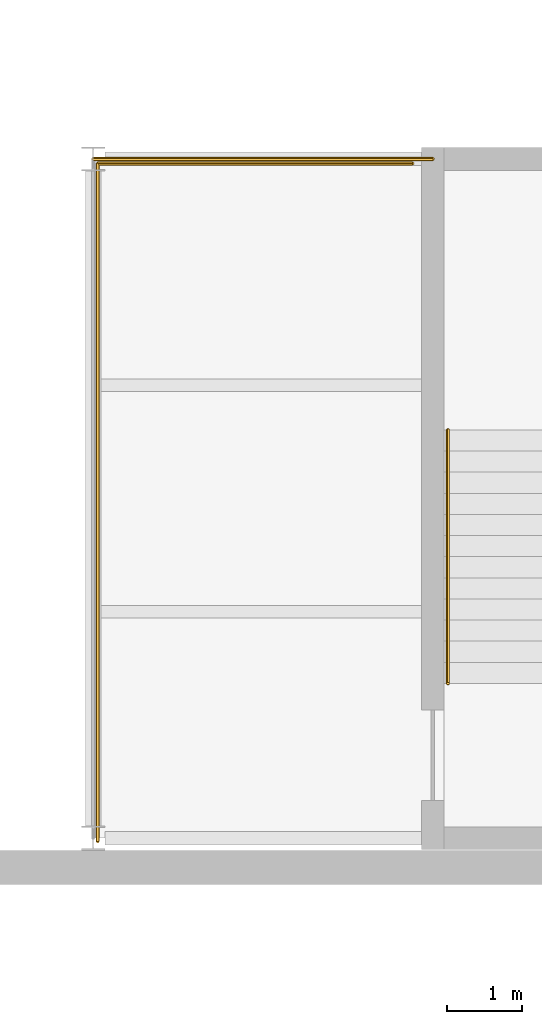
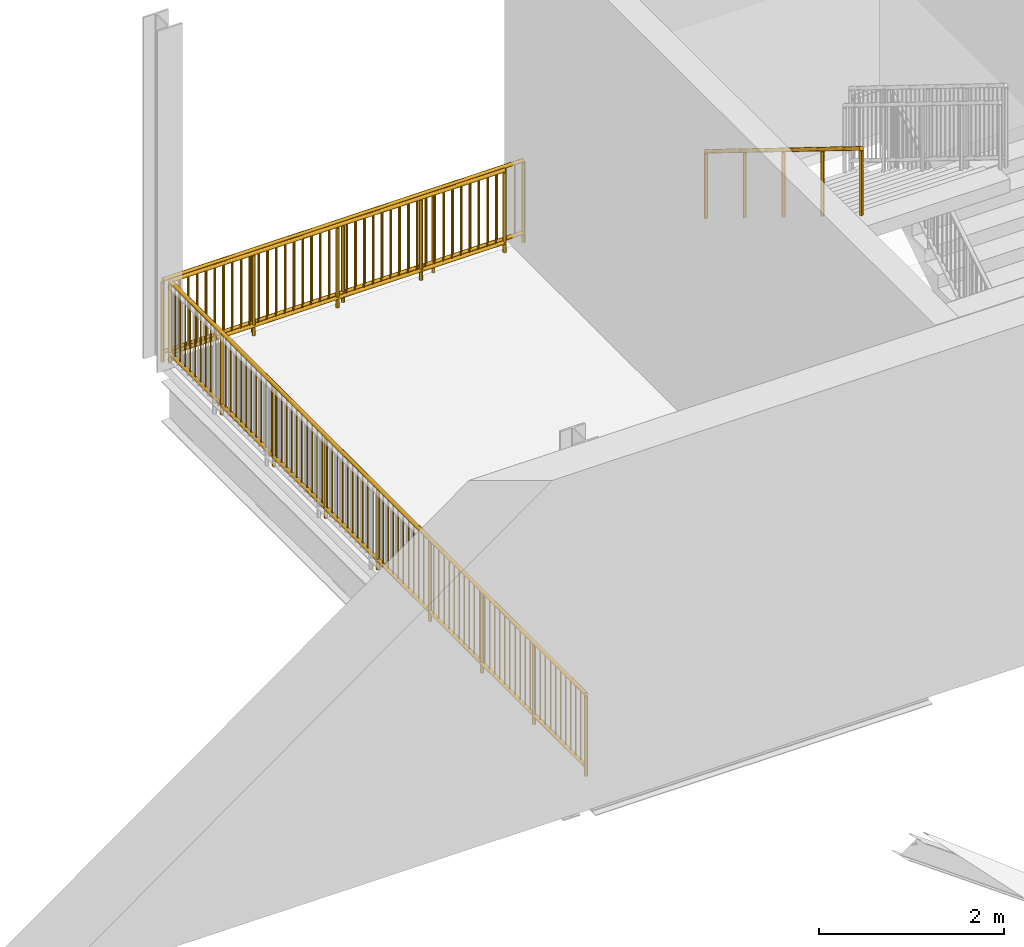
# One storey, part 69 of 74: 3 railings.
"""IFC4 building model written with IfcOpenShell, lengths in metres."""

from ifc_helpers import new_model, si_unit, direction, frame, origin, origin_2d, place, context, subcontext, project, spatial, circle, extrude, material, type_object, element, save


model = new_model("IFC4")

# Units and contexts
model_context = context("Model", 3, precision=1e-05, world=origin(), true_north=direction((0.0, 1.0)))
body_context = subcontext(model_context, "Body", "Model", "MODEL_VIEW")
ifc_project = project(units=[si_unit("LENGTHUNIT", "METRE"), si_unit("AREAUNIT", "SQUARE_METRE"), si_unit("VOLUMEUNIT", "CUBIC_METRE"), si_unit("PLANEANGLEUNIT", "RADIAN"), si_unit("MASSUNIT", "GRAM", prefix="KILO")], contexts=[model_context])

# Site, building, storey
site_placement = place(None, origin())
site = spatial("IfcSite", under=ifc_project, at=site_placement, CompositionType="ELEMENT")
building_placement = place(site_placement, origin())
building = spatial("IfcBuilding", under=site, at=building_placement, Name="Hortulan Conservatory and Botanical Research Centre", CompositionType="ELEMENT")
storey_placement = place(building_placement, frame((0.0, 0.0, 6.0)))
storey = spatial("IfcBuildingStorey", under=building, at=storey_placement, Name="L01", CompositionType="ELEMENT", Elevation=6.0)

# Railings
ifc_material_1 = material(Name="Wrought iron guard, bronze-charcoal paint", Category="metal")
railing_type_1 = type_object("IfcRailingType", Name="Fly Gallery Guard 1100", PredefinedType="GUARDRAIL", material=ifc_material_1)
railing_1_placement = place(storey_placement, frame((99.0, 45.0, 0.0)))
element("IfcRailing", 1, at=railing_1_placement, inside=storey, type_object=railing_type_1, Name="Fly gallery guard L01 north edge", PredefinedType="GUARDRAIL", context=body_context, shape_type="SweptSolid", body=[
    extrude(circle(Radius=0.02392578125, at=origin_2d()), frame((0.0, 0.0, 1.076171875), z_axis=(1.0, 0.0, 0.0), x_axis=(0.0, 1.0, 0.0)), (0.0, 0.0, 1.0), 4.5),
    extrude(circle(Radius=0.02392578125, at=origin_2d()), frame((0.0, 0.0, 0.1240234375), z_axis=(1.0, 0.0, 0.0), x_axis=(0.0, 1.0, 0.0)), (0.0, 0.0, 1.0), 4.5),
    extrude(circle(Radius=0.008056640625, at=origin_2d()), frame((0.10986328125, 0.0, 0.148193359375)), (0.0, 0.0, 1.0), 0.90380859375),
    extrude(circle(Radius=0.008056640625, at=origin_2d()), frame((0.219482421875, 0.0, 0.148193359375)), (0.0, 0.0, 1.0), 0.90380859375),
    extrude(circle(Radius=0.008056640625, at=origin_2d()), frame((0.329345703125, 0.0, 0.148193359375)), (0.0, 0.0, 1.0), 0.90380859375),
    extrude(circle(Radius=0.008056640625, at=origin_2d()), frame((0.43896484375, 0.0, 0.148193359375)), (0.0, 0.0, 1.0), 0.90380859375),
    extrude(circle(Radius=0.008056640625, at=origin_2d()), frame((0.548828125, 0.0, 0.148193359375)), (0.0, 0.0, 1.0), 0.90380859375),
    extrude(circle(Radius=0.008056640625, at=origin_2d()), frame((0.658447265625, 0.0, 0.148193359375)), (0.0, 0.0, 1.0), 0.90380859375),
    extrude(circle(Radius=0.008056640625, at=origin_2d()), frame((0.768310546875, 0.0, 0.148193359375)), (0.0, 0.0, 1.0), 0.90380859375),
    extrude(circle(Radius=0.008056640625, at=origin_2d()), frame((0.8779296875, 0.0, 0.148193359375)), (0.0, 0.0, 1.0), 0.90380859375),
    extrude(circle(Radius=0.008056640625, at=origin_2d()), frame((0.98779296875, 0.0, 0.148193359375)), (0.0, 0.0, 1.0), 0.90380859375),
    extrude(circle(Radius=0.008056640625, at=origin_2d()), frame((1.09765625, 0.0, 0.148193359375)), (0.0, 0.0, 1.0), 0.90380859375),
    extrude(circle(Radius=0.008056640625, at=origin_2d()), frame((1.207275390625, 0.0, 0.148193359375)), (0.0, 0.0, 1.0), 0.90380859375),
    extrude(circle(Radius=0.008056640625, at=origin_2d()), frame((1.317138671875, 0.0, 0.148193359375)), (0.0, 0.0, 1.0), 0.90380859375),
    extrude(circle(Radius=0.008056640625, at=origin_2d()), frame((1.4267578125, 0.0, 0.148193359375)), (0.0, 0.0, 1.0), 0.90380859375),
    extrude(circle(Radius=0.008056640625, at=origin_2d()), frame((1.53662109375, 0.0, 0.148193359375)), (0.0, 0.0, 1.0), 0.90380859375),
    extrude(circle(Radius=0.008056640625, at=origin_2d()), frame((1.646240234375, 0.0, 0.148193359375)), (0.0, 0.0, 1.0), 0.90380859375),
    extrude(circle(Radius=0.008056640625, at=origin_2d()), frame((1.756103515625, 0.0, 0.148193359375)), (0.0, 0.0, 1.0), 0.90380859375),
    extrude(circle(Radius=0.008056640625, at=origin_2d()), frame((1.865966796875, 0.0, 0.148193359375)), (0.0, 0.0, 1.0), 0.90380859375),
    extrude(circle(Radius=0.008056640625, at=origin_2d()), frame((1.9755859375, 0.0, 0.148193359375)), (0.0, 0.0, 1.0), 0.90380859375),
    extrude(circle(Radius=0.008056640625, at=origin_2d()), frame((2.08544921875, 0.0, 0.148193359375)), (0.0, 0.0, 1.0), 0.90380859375),
    extrude(circle(Radius=0.008056640625, at=origin_2d()), frame((2.195068359375, 0.0, 0.148193359375)), (0.0, 0.0, 1.0), 0.90380859375),
    extrude(circle(Radius=0.008056640625, at=origin_2d()), frame((2.304931640625, 0.0, 0.148193359375)), (0.0, 0.0, 1.0), 0.90380859375),
    extrude(circle(Radius=0.008056640625, at=origin_2d()), frame((2.41455078125, 0.0, 0.148193359375)), (0.0, 0.0, 1.0), 0.90380859375),
    extrude(circle(Radius=0.008056640625, at=origin_2d()), frame((2.5244140625, 0.0, 0.148193359375)), (0.0, 0.0, 1.0), 0.90380859375),
    extrude(circle(Radius=0.008056640625, at=origin_2d()), frame((2.634033203125, 0.0, 0.148193359375)), (0.0, 0.0, 1.0), 0.90380859375),
    extrude(circle(Radius=0.008056640625, at=origin_2d()), frame((2.743896484375, 0.0, 0.148193359375)), (0.0, 0.0, 1.0), 0.90380859375),
    extrude(circle(Radius=0.008056640625, at=origin_2d()), frame((2.853759765625, 0.0, 0.148193359375)), (0.0, 0.0, 1.0), 0.90380859375),
    extrude(circle(Radius=0.008056640625, at=origin_2d()), frame((2.96337890625, 0.0, 0.148193359375)), (0.0, 0.0, 1.0), 0.90380859375),
    extrude(circle(Radius=0.008056640625, at=origin_2d()), frame((3.0732421875, 0.0, 0.148193359375)), (0.0, 0.0, 1.0), 0.90380859375),
    extrude(circle(Radius=0.008056640625, at=origin_2d()), frame((3.182861328125, 0.0, 0.148193359375)), (0.0, 0.0, 1.0), 0.90380859375),
    extrude(circle(Radius=0.008056640625, at=origin_2d()), frame((3.292724609375, 0.0, 0.148193359375)), (0.0, 0.0, 1.0), 0.90380859375),
    extrude(circle(Radius=0.008056640625, at=origin_2d()), frame((3.40234375, 0.0, 0.148193359375)), (0.0, 0.0, 1.0), 0.90380859375),
    extrude(circle(Radius=0.008056640625, at=origin_2d()), frame((3.51220703125, 0.0, 0.148193359375)), (0.0, 0.0, 1.0), 0.90380859375),
    extrude(circle(Radius=0.008056640625, at=origin_2d()), frame((3.6220703125, 0.0, 0.148193359375)), (0.0, 0.0, 1.0), 0.90380859375),
    extrude(circle(Radius=0.008056640625, at=origin_2d()), frame((3.731689453125, 0.0, 0.148193359375)), (0.0, 0.0, 1.0), 0.90380859375),
    extrude(circle(Radius=0.008056640625, at=origin_2d()), frame((3.841552734375, 0.0, 0.148193359375)), (0.0, 0.0, 1.0), 0.90380859375),
    extrude(circle(Radius=0.008056640625, at=origin_2d()), frame((3.951171875, 0.0, 0.148193359375)), (0.0, 0.0, 1.0), 0.90380859375),
    extrude(circle(Radius=0.008056640625, at=origin_2d()), frame((4.06103515625, 0.0, 0.148193359375)), (0.0, 0.0, 1.0), 0.90380859375),
    extrude(circle(Radius=0.008056640625, at=origin_2d()), frame((4.170654296875, 0.0, 0.148193359375)), (0.0, 0.0, 1.0), 0.90380859375),
    extrude(circle(Radius=0.008056640625, at=origin_2d()), frame((4.280517578125, 0.0, 0.148193359375)), (0.0, 0.0, 1.0), 0.90380859375),
    extrude(circle(Radius=0.008056640625, at=origin_2d()), frame((4.39013671875, 0.0, 0.148193359375)), (0.0, 0.0, 1.0), 0.90380859375),
    extrude(circle(Radius=0.02099609375, at=origin_2d()), origin(), (0.0, 0.0, 1.0), 1.052001953125),
    extrude(circle(Radius=0.02099609375, at=origin_2d()), frame((1.125, 0.0, 0.0)), (0.0, 0.0, 1.0), 1.052001953125),
    extrude(circle(Radius=0.02099609375, at=origin_2d()), frame((2.25, 0.0, 0.0)), (0.0, 0.0, 1.0), 1.052001953125),
    extrude(circle(Radius=0.02099609375, at=origin_2d()), frame((3.375, 0.0, 0.0)), (0.0, 0.0, 1.0), 1.052001953125),
    extrude(circle(Radius=0.02099609375, at=origin_2d()), frame((4.5, 0.0, 0.0)), (0.0, 0.0, 1.0), 1.052001953125),
])
railing_type_2 = type_object("IfcRailingType", Name="Ironwork Void Guard 1100", PredefinedType="GUARDRAIL", material=ifc_material_1)
railing_2_placement = place(storey_placement, frame((103.22998046875, 44.93994140625, 0.0)))
element("IfcRailing", 2, at=railing_2_placement, inside=storey, type_object=railing_type_2, Name="Guard L01 Aud Hall L01 1 8", PredefinedType="GUARDRAIL", context=body_context, shape_type="SweptSolid", body=[
    extrude(circle(Radius=0.02392578125, at=origin_2d()), frame((0.0, 0.0, 1.076171875), z_axis=(-1.0, 0.0, 0.0), x_axis=(0.0, -1.0, 0.0)), (0.0, 0.0, 1.0), 4.169921875),
    extrude(circle(Radius=0.02392578125, at=origin_2d()), frame((0.0, 0.0, 0.1240234375), z_axis=(-1.0, 0.0, 0.0), x_axis=(0.0, -1.0, 0.0)), (0.0, 0.0, 1.0), 4.169921875),
    extrude(circle(Radius=0.008056640625, at=origin_2d()), frame((-0.109619140625, 0.0, 0.148193359375)), (0.0, 0.0, 1.0), 0.90380859375),
    extrude(circle(Radius=0.008056640625, at=origin_2d()), frame((-0.219482421875, 0.0, 0.148193359375)), (0.0, 0.0, 1.0), 0.90380859375),
    extrude(circle(Radius=0.008056640625, at=origin_2d()), frame((-0.3291015625, 0.0, 0.148193359375)), (0.0, 0.0, 1.0), 0.90380859375),
    extrude(circle(Radius=0.008056640625, at=origin_2d()), frame((-0.43896484375, 0.0, 0.148193359375)), (0.0, 0.0, 1.0), 0.90380859375),
    extrude(circle(Radius=0.008056640625, at=origin_2d()), frame((-0.548583984375, 0.0, 0.148193359375)), (0.0, 0.0, 1.0), 0.90380859375),
    extrude(circle(Radius=0.008056640625, at=origin_2d()), frame((-0.658447265625, 0.0, 0.148193359375)), (0.0, 0.0, 1.0), 0.90380859375),
    extrude(circle(Radius=0.008056640625, at=origin_2d()), frame((-0.76806640625, 0.0, 0.148193359375)), (0.0, 0.0, 1.0), 0.90380859375),
    extrude(circle(Radius=0.008056640625, at=origin_2d()), frame((-0.8779296875, 0.0, 0.148193359375)), (0.0, 0.0, 1.0), 0.90380859375),
    extrude(circle(Radius=0.008056640625, at=origin_2d()), frame((-0.987548828125, 0.0, 0.148193359375)), (0.0, 0.0, 1.0), 0.90380859375),
    extrude(circle(Radius=0.008056640625, at=origin_2d()), frame((-1.097412109375, 0.0, 0.148193359375)), (0.0, 0.0, 1.0), 0.90380859375),
    extrude(circle(Radius=0.008056640625, at=origin_2d()), frame((-1.20703125, 0.0, 0.148193359375)), (0.0, 0.0, 1.0), 0.90380859375),
    extrude(circle(Radius=0.008056640625, at=origin_2d()), frame((-1.31689453125, 0.0, 0.148193359375)), (0.0, 0.0, 1.0), 0.90380859375),
    extrude(circle(Radius=0.008056640625, at=origin_2d()), frame((-1.426513671875, 0.0, 0.148193359375)), (0.0, 0.0, 1.0), 0.90380859375),
    extrude(circle(Radius=0.008056640625, at=origin_2d()), frame((-1.536376953125, 0.0, 0.148193359375)), (0.0, 0.0, 1.0), 0.90380859375),
    extrude(circle(Radius=0.008056640625, at=origin_2d()), frame((-1.64599609375, 0.0, 0.148193359375)), (0.0, 0.0, 1.0), 0.90380859375),
    extrude(circle(Radius=0.008056640625, at=origin_2d()), frame((-1.755859375, 0.0, 0.148193359375)), (0.0, 0.0, 1.0), 0.90380859375),
    extrude(circle(Radius=0.008056640625, at=origin_2d()), frame((-1.865478515625, 0.0, 0.148193359375)), (0.0, 0.0, 1.0), 0.90380859375),
    extrude(circle(Radius=0.008056640625, at=origin_2d()), frame((-1.975341796875, 0.0, 0.148193359375)), (0.0, 0.0, 1.0), 0.90380859375),
    extrude(circle(Radius=0.008056640625, at=origin_2d()), frame((-2.0849609375, 0.0, 0.148193359375)), (0.0, 0.0, 1.0), 0.90380859375),
    extrude(circle(Radius=0.008056640625, at=origin_2d()), frame((-2.194580078125, 0.0, 0.148193359375)), (0.0, 0.0, 1.0), 0.90380859375),
    extrude(circle(Radius=0.008056640625, at=origin_2d()), frame((-2.304443359375, 0.0, 0.148193359375)), (0.0, 0.0, 1.0), 0.90380859375),
    extrude(circle(Radius=0.008056640625, at=origin_2d()), frame((-2.4140625, 0.0, 0.148193359375)), (0.0, 0.0, 1.0), 0.90380859375),
    extrude(circle(Radius=0.008056640625, at=origin_2d()), frame((-2.52392578125, 0.0, 0.148193359375)), (0.0, 0.0, 1.0), 0.90380859375),
    extrude(circle(Radius=0.008056640625, at=origin_2d()), frame((-2.633544921875, 0.0, 0.148193359375)), (0.0, 0.0, 1.0), 0.90380859375),
    extrude(circle(Radius=0.008056640625, at=origin_2d()), frame((-2.743408203125, 0.0, 0.148193359375)), (0.0, 0.0, 1.0), 0.90380859375),
    extrude(circle(Radius=0.008056640625, at=origin_2d()), frame((-2.85302734375, 0.0, 0.148193359375)), (0.0, 0.0, 1.0), 0.90380859375),
    extrude(circle(Radius=0.008056640625, at=origin_2d()), frame((-2.962890625, 0.0, 0.148193359375)), (0.0, 0.0, 1.0), 0.90380859375),
    extrude(circle(Radius=0.008056640625, at=origin_2d()), frame((-3.072509765625, 0.0, 0.148193359375)), (0.0, 0.0, 1.0), 0.90380859375),
    extrude(circle(Radius=0.008056640625, at=origin_2d()), frame((-3.182373046875, 0.0, 0.148193359375)), (0.0, 0.0, 1.0), 0.90380859375),
    extrude(circle(Radius=0.008056640625, at=origin_2d()), frame((-3.2919921875, 0.0, 0.148193359375)), (0.0, 0.0, 1.0), 0.90380859375),
    extrude(circle(Radius=0.008056640625, at=origin_2d()), frame((-3.40185546875, 0.0, 0.148193359375)), (0.0, 0.0, 1.0), 0.90380859375),
    extrude(circle(Radius=0.008056640625, at=origin_2d()), frame((-3.511474609375, 0.0, 0.148193359375)), (0.0, 0.0, 1.0), 0.90380859375),
    extrude(circle(Radius=0.008056640625, at=origin_2d()), frame((-3.621337890625, 0.0, 0.148193359375)), (0.0, 0.0, 1.0), 0.90380859375),
    extrude(circle(Radius=0.008056640625, at=origin_2d()), frame((-3.73095703125, 0.0, 0.148193359375)), (0.0, 0.0, 1.0), 0.90380859375),
    extrude(circle(Radius=0.008056640625, at=origin_2d()), frame((-3.8408203125, 0.0, 0.148193359375)), (0.0, 0.0, 1.0), 0.90380859375),
    extrude(circle(Radius=0.008056640625, at=origin_2d()), frame((-3.950439453125, 0.0, 0.148193359375)), (0.0, 0.0, 1.0), 0.90380859375),
    extrude(circle(Radius=0.008056640625, at=origin_2d()), frame((-4.060302734375, 0.0, 0.148193359375)), (0.0, 0.0, 1.0), 0.90380859375),
    extrude(circle(Radius=0.02392578125, at=origin_2d()), frame((-4.169921875, 0.0, 1.076171875), z_axis=(0.0, -1.0, 0.0), x_axis=(1.0, 0.0, 0.0)), (0.0, 0.0, 1.0), 8.98046875),
    extrude(circle(Radius=0.02392578125, at=origin_2d()), frame((-4.169921875, 0.0, 0.1240234375), z_axis=(0.0, -1.0, 0.0), x_axis=(1.0, 0.0, 0.0)), (0.0, 0.0, 1.0), 8.98046875),
    extrude(circle(Radius=0.008056640625, at=origin_2d()), frame((-4.169921875, -0.109619140625, 0.148193359375)), (0.0, 0.0, 1.0), 0.90380859375),
    extrude(circle(Radius=0.008056640625, at=origin_2d()), frame((-4.169921875, -0.218994140625, 0.148193359375)), (0.0, 0.0, 1.0), 0.90380859375),
    extrude(circle(Radius=0.008056640625, at=origin_2d()), frame((-4.169921875, -0.32861328125, 0.148193359375)), (0.0, 0.0, 1.0), 0.90380859375),
    extrude(circle(Radius=0.008056640625, at=origin_2d()), frame((-4.169921875, -0.43798828125, 0.148193359375)), (0.0, 0.0, 1.0), 0.90380859375),
    extrude(circle(Radius=0.008056640625, at=origin_2d()), frame((-4.169921875, -0.547607421875, 0.148193359375)), (0.0, 0.0, 1.0), 0.90380859375),
    extrude(circle(Radius=0.008056640625, at=origin_2d()), frame((-4.169921875, -0.6572265625, 0.148193359375)), (0.0, 0.0, 1.0), 0.90380859375),
    extrude(circle(Radius=0.008056640625, at=origin_2d()), frame((-4.169921875, -0.7666015625, 0.148193359375)), (0.0, 0.0, 1.0), 0.90380859375),
    extrude(circle(Radius=0.008056640625, at=origin_2d()), frame((-4.169921875, -0.876220703125, 0.148193359375)), (0.0, 0.0, 1.0), 0.90380859375),
    extrude(circle(Radius=0.008056640625, at=origin_2d()), frame((-4.169921875, -0.985595703125, 0.148193359375)), (0.0, 0.0, 1.0), 0.90380859375),
    extrude(circle(Radius=0.008056640625, at=origin_2d()), frame((-4.169921875, -1.09521484375, 0.148193359375)), (0.0, 0.0, 1.0), 0.90380859375),
    extrude(circle(Radius=0.008056640625, at=origin_2d()), frame((-4.169921875, -1.20458984375, 0.148193359375)), (0.0, 0.0, 1.0), 0.90380859375),
    extrude(circle(Radius=0.008056640625, at=origin_2d()), frame((-4.169921875, -1.314208984375, 0.148193359375)), (0.0, 0.0, 1.0), 0.90380859375),
    extrude(circle(Radius=0.008056640625, at=origin_2d()), frame((-4.169921875, -1.423828125, 0.148193359375)), (0.0, 0.0, 1.0), 0.90380859375),
    extrude(circle(Radius=0.008056640625, at=origin_2d()), frame((-4.169921875, -1.533203125, 0.148193359375)), (0.0, 0.0, 1.0), 0.90380859375),
    extrude(circle(Radius=0.008056640625, at=origin_2d()), frame((-4.169921875, -1.642822265625, 0.148193359375)), (0.0, 0.0, 1.0), 0.90380859375),
    extrude(circle(Radius=0.008056640625, at=origin_2d()), frame((-4.169921875, -1.752197265625, 0.148193359375)), (0.0, 0.0, 1.0), 0.90380859375),
    extrude(circle(Radius=0.008056640625, at=origin_2d()), frame((-4.169921875, -1.86181640625, 0.148193359375)), (0.0, 0.0, 1.0), 0.90380859375),
    extrude(circle(Radius=0.008056640625, at=origin_2d()), frame((-4.169921875, -1.971435546875, 0.148193359375)), (0.0, 0.0, 1.0), 0.90380859375),
    extrude(circle(Radius=0.008056640625, at=origin_2d()), frame((-4.169921875, -2.080810546875, 0.148193359375)), (0.0, 0.0, 1.0), 0.90380859375),
    extrude(circle(Radius=0.008056640625, at=origin_2d()), frame((-4.169921875, -2.1904296875, 0.148193359375)), (0.0, 0.0, 1.0), 0.90380859375),
    extrude(circle(Radius=0.008056640625, at=origin_2d()), frame((-4.169921875, -2.2998046875, 0.148193359375)), (0.0, 0.0, 1.0), 0.90380859375),
    extrude(circle(Radius=0.008056640625, at=origin_2d()), frame((-4.169921875, -2.409423828125, 0.148193359375)), (0.0, 0.0, 1.0), 0.90380859375),
    extrude(circle(Radius=0.008056640625, at=origin_2d()), frame((-4.169921875, -2.518798828125, 0.148193359375)), (0.0, 0.0, 1.0), 0.90380859375),
    extrude(circle(Radius=0.008056640625, at=origin_2d()), frame((-4.169921875, -2.62841796875, 0.148193359375)), (0.0, 0.0, 1.0), 0.90380859375),
    extrude(circle(Radius=0.008056640625, at=origin_2d()), frame((-4.169921875, -2.738037109375, 0.148193359375)), (0.0, 0.0, 1.0), 0.90380859375),
    extrude(circle(Radius=0.008056640625, at=origin_2d()), frame((-4.169921875, -2.847412109375, 0.148193359375)), (0.0, 0.0, 1.0), 0.90380859375),
    extrude(circle(Radius=0.008056640625, at=origin_2d()), frame((-4.169921875, -2.95703125, 0.148193359375)), (0.0, 0.0, 1.0), 0.90380859375),
    extrude(circle(Radius=0.008056640625, at=origin_2d()), frame((-4.169921875, -3.06640625, 0.148193359375)), (0.0, 0.0, 1.0), 0.90380859375),
    extrude(circle(Radius=0.008056640625, at=origin_2d()), frame((-4.169921875, -3.176025390625, 0.148193359375)), (0.0, 0.0, 1.0), 0.90380859375),
    extrude(circle(Radius=0.008056640625, at=origin_2d()), frame((-4.169921875, -3.28564453125, 0.148193359375)), (0.0, 0.0, 1.0), 0.90380859375),
    extrude(circle(Radius=0.008056640625, at=origin_2d()), frame((-4.169921875, -3.39501953125, 0.148193359375)), (0.0, 0.0, 1.0), 0.90380859375),
    extrude(circle(Radius=0.008056640625, at=origin_2d()), frame((-4.169921875, -3.504638671875, 0.148193359375)), (0.0, 0.0, 1.0), 0.90380859375),
    extrude(circle(Radius=0.008056640625, at=origin_2d()), frame((-4.169921875, -3.614013671875, 0.148193359375)), (0.0, 0.0, 1.0), 0.90380859375),
    extrude(circle(Radius=0.008056640625, at=origin_2d()), frame((-4.169921875, -3.7236328125, 0.148193359375)), (0.0, 0.0, 1.0), 0.90380859375),
    extrude(circle(Radius=0.008056640625, at=origin_2d()), frame((-4.169921875, -3.8330078125, 0.148193359375)), (0.0, 0.0, 1.0), 0.90380859375),
    extrude(circle(Radius=0.008056640625, at=origin_2d()), frame((-4.169921875, -3.942626953125, 0.148193359375)), (0.0, 0.0, 1.0), 0.90380859375),
    extrude(circle(Radius=0.008056640625, at=origin_2d()), frame((-4.169921875, -4.05224609375, 0.148193359375)), (0.0, 0.0, 1.0), 0.90380859375),
    extrude(circle(Radius=0.008056640625, at=origin_2d()), frame((-4.169921875, -4.16162109375, 0.148193359375)), (0.0, 0.0, 1.0), 0.90380859375),
    extrude(circle(Radius=0.008056640625, at=origin_2d()), frame((-4.169921875, -4.271240234375, 0.148193359375)), (0.0, 0.0, 1.0), 0.90380859375),
    extrude(circle(Radius=0.008056640625, at=origin_2d()), frame((-4.169921875, -4.380615234375, 0.148193359375)), (0.0, 0.0, 1.0), 0.90380859375),
    extrude(circle(Radius=0.008056640625, at=origin_2d()), frame((-4.169921875, -4.490234375, 0.148193359375)), (0.0, 0.0, 1.0), 0.90380859375),
    extrude(circle(Radius=0.008056640625, at=origin_2d()), frame((-4.169921875, -4.599853515625, 0.148193359375)), (0.0, 0.0, 1.0), 0.90380859375),
    extrude(circle(Radius=0.008056640625, at=origin_2d()), frame((-4.169921875, -4.709228515625, 0.148193359375)), (0.0, 0.0, 1.0), 0.90380859375),
    extrude(circle(Radius=0.008056640625, at=origin_2d()), frame((-4.169921875, -4.81884765625, 0.148193359375)), (0.0, 0.0, 1.0), 0.90380859375),
    extrude(circle(Radius=0.008056640625, at=origin_2d()), frame((-4.169921875, -4.92822265625, 0.148193359375)), (0.0, 0.0, 1.0), 0.90380859375),
    extrude(circle(Radius=0.008056640625, at=origin_2d()), frame((-4.169921875, -5.037841796875, 0.148193359375)), (0.0, 0.0, 1.0), 0.90380859375),
    extrude(circle(Radius=0.008056640625, at=origin_2d()), frame((-4.169921875, -5.1474609375, 0.148193359375)), (0.0, 0.0, 1.0), 0.90380859375),
    extrude(circle(Radius=0.008056640625, at=origin_2d()), frame((-4.169921875, -5.2568359375, 0.148193359375)), (0.0, 0.0, 1.0), 0.90380859375),
    extrude(circle(Radius=0.008056640625, at=origin_2d()), frame((-4.169921875, -5.366455078125, 0.148193359375)), (0.0, 0.0, 1.0), 0.90380859375),
    extrude(circle(Radius=0.008056640625, at=origin_2d()), frame((-4.169921875, -5.475830078125, 0.148193359375)), (0.0, 0.0, 1.0), 0.90380859375),
    extrude(circle(Radius=0.008056640625, at=origin_2d()), frame((-4.169921875, -5.58544921875, 0.148193359375)), (0.0, 0.0, 1.0), 0.90380859375),
    extrude(circle(Radius=0.008056640625, at=origin_2d()), frame((-4.169921875, -5.69482421875, 0.148193359375)), (0.0, 0.0, 1.0), 0.90380859375),
    extrude(circle(Radius=0.008056640625, at=origin_2d()), frame((-4.169921875, -5.804443359375, 0.148193359375)), (0.0, 0.0, 1.0), 0.90380859375),
    extrude(circle(Radius=0.008056640625, at=origin_2d()), frame((-4.169921875, -5.9140625, 0.148193359375)), (0.0, 0.0, 1.0), 0.90380859375),
    extrude(circle(Radius=0.008056640625, at=origin_2d()), frame((-4.169921875, -6.0234375, 0.148193359375)), (0.0, 0.0, 1.0), 0.90380859375),
    extrude(circle(Radius=0.008056640625, at=origin_2d()), frame((-4.169921875, -6.133056640625, 0.148193359375)), (0.0, 0.0, 1.0), 0.90380859375),
    extrude(circle(Radius=0.008056640625, at=origin_2d()), frame((-4.169921875, -6.242431640625, 0.148193359375)), (0.0, 0.0, 1.0), 0.90380859375),
    extrude(circle(Radius=0.008056640625, at=origin_2d()), frame((-4.169921875, -6.35205078125, 0.148193359375)), (0.0, 0.0, 1.0), 0.90380859375),
    extrude(circle(Radius=0.008056640625, at=origin_2d()), frame((-4.169921875, -6.461669921875, 0.148193359375)), (0.0, 0.0, 1.0), 0.90380859375),
    extrude(circle(Radius=0.008056640625, at=origin_2d()), frame((-4.169921875, -6.571044921875, 0.148193359375)), (0.0, 0.0, 1.0), 0.90380859375),
    extrude(circle(Radius=0.008056640625, at=origin_2d()), frame((-4.169921875, -6.6806640625, 0.148193359375)), (0.0, 0.0, 1.0), 0.90380859375),
    extrude(circle(Radius=0.008056640625, at=origin_2d()), frame((-4.169921875, -6.7900390625, 0.148193359375)), (0.0, 0.0, 1.0), 0.90380859375),
    extrude(circle(Radius=0.008056640625, at=origin_2d()), frame((-4.169921875, -6.899658203125, 0.148193359375)), (0.0, 0.0, 1.0), 0.90380859375),
    extrude(circle(Radius=0.008056640625, at=origin_2d()), frame((-4.169921875, -7.009033203125, 0.148193359375)), (0.0, 0.0, 1.0), 0.90380859375),
    extrude(circle(Radius=0.008056640625, at=origin_2d()), frame((-4.169921875, -7.11865234375, 0.148193359375)), (0.0, 0.0, 1.0), 0.90380859375),
    extrude(circle(Radius=0.008056640625, at=origin_2d()), frame((-4.169921875, -7.228271484375, 0.148193359375)), (0.0, 0.0, 1.0), 0.90380859375),
    extrude(circle(Radius=0.008056640625, at=origin_2d()), frame((-4.169921875, -7.337646484375, 0.148193359375)), (0.0, 0.0, 1.0), 0.90380859375),
    extrude(circle(Radius=0.008056640625, at=origin_2d()), frame((-4.169921875, -7.447265625, 0.148193359375)), (0.0, 0.0, 1.0), 0.90380859375),
    extrude(circle(Radius=0.008056640625, at=origin_2d()), frame((-4.169921875, -7.556640625, 0.148193359375)), (0.0, 0.0, 1.0), 0.90380859375),
    extrude(circle(Radius=0.008056640625, at=origin_2d()), frame((-4.169921875, -7.666259765625, 0.148193359375)), (0.0, 0.0, 1.0), 0.90380859375),
    extrude(circle(Radius=0.008056640625, at=origin_2d()), frame((-4.169921875, -7.77587890625, 0.148193359375)), (0.0, 0.0, 1.0), 0.90380859375),
    extrude(circle(Radius=0.008056640625, at=origin_2d()), frame((-4.169921875, -7.88525390625, 0.148193359375)), (0.0, 0.0, 1.0), 0.90380859375),
    extrude(circle(Radius=0.008056640625, at=origin_2d()), frame((-4.169921875, -7.994873046875, 0.148193359375)), (0.0, 0.0, 1.0), 0.90380859375),
    extrude(circle(Radius=0.008056640625, at=origin_2d()), frame((-4.169921875, -8.104248046875, 0.148193359375)), (0.0, 0.0, 1.0), 0.90380859375),
    extrude(circle(Radius=0.008056640625, at=origin_2d()), frame((-4.169921875, -8.2138671875, 0.148193359375)), (0.0, 0.0, 1.0), 0.90380859375),
    extrude(circle(Radius=0.008056640625, at=origin_2d()), frame((-4.169921875, -8.3232421875, 0.148193359375)), (0.0, 0.0, 1.0), 0.90380859375),
    extrude(circle(Radius=0.008056640625, at=origin_2d()), frame((-4.169921875, -8.432861328125, 0.148193359375)), (0.0, 0.0, 1.0), 0.90380859375),
    extrude(circle(Radius=0.008056640625, at=origin_2d()), frame((-4.169921875, -8.54248046875, 0.148193359375)), (0.0, 0.0, 1.0), 0.90380859375),
    extrude(circle(Radius=0.008056640625, at=origin_2d()), frame((-4.169921875, -8.65185546875, 0.148193359375)), (0.0, 0.0, 1.0), 0.90380859375),
    extrude(circle(Radius=0.008056640625, at=origin_2d()), frame((-4.169921875, -8.761474609375, 0.148193359375)), (0.0, 0.0, 1.0), 0.90380859375),
    extrude(circle(Radius=0.008056640625, at=origin_2d()), frame((-4.169921875, -8.870849609375, 0.148193359375)), (0.0, 0.0, 1.0), 0.90380859375),
    extrude(circle(Radius=0.02099609375, at=origin_2d()), origin(), (0.0, 0.0, 1.0), 1.052001953125),
    extrude(circle(Radius=0.02099609375, at=origin_2d()), frame((-1.04248046875, 0.0, 0.0)), (0.0, 0.0, 1.0), 1.052001953125),
    extrude(circle(Radius=0.02099609375, at=origin_2d()), frame((-2.0849609375, 0.0, 0.0)), (0.0, 0.0, 1.0), 1.052001953125),
    extrude(circle(Radius=0.02099609375, at=origin_2d()), frame((-3.12744140625, 0.0, 0.0)), (0.0, 0.0, 1.0), 1.052001953125),
    extrude(circle(Radius=0.02099609375, at=origin_2d()), frame((-4.169921875, 0.0, 0.0)), (0.0, 0.0, 1.0), 1.052001953125),
    extrude(circle(Radius=0.02099609375, at=origin_2d()), frame((-4.169921875, -1.12255859375, 0.0)), (0.0, 0.0, 1.0), 1.052001953125),
    extrude(circle(Radius=0.02099609375, at=origin_2d()), frame((-4.169921875, -2.2451171875, 0.0)), (0.0, 0.0, 1.0), 1.052001953125),
    extrude(circle(Radius=0.02099609375, at=origin_2d()), frame((-4.169921875, -3.36767578125, 0.0)), (0.0, 0.0, 1.0), 1.052001953125),
    extrude(circle(Radius=0.02099609375, at=origin_2d()), frame((-4.169921875, -4.490234375, 0.0)), (0.0, 0.0, 1.0), 1.052001953125),
    extrude(circle(Radius=0.02099609375, at=origin_2d()), frame((-4.169921875, -5.61279296875, 0.0)), (0.0, 0.0, 1.0), 1.052001953125),
    extrude(circle(Radius=0.02099609375, at=origin_2d()), frame((-4.169921875, -6.7353515625, 0.0)), (0.0, 0.0, 1.0), 1.052001953125),
    extrude(circle(Radius=0.02099609375, at=origin_2d()), frame((-4.169921875, -7.85791015625, 0.0)), (0.0, 0.0, 1.0), 1.052001953125),
    extrude(circle(Radius=0.02099609375, at=origin_2d()), frame((-4.169921875, -8.98046875, 0.0)), (0.0, 0.0, 1.0), 1.052001953125),
])
ifc_material_2 = material(Name="Bronze handrail, polished", Category="metal")
railing_type_3 = type_object("IfcRailingType", Name="Stair Handrail 900", PredefinedType="HANDRAIL", material=ifc_material_2)
railing_3_placement = place(storey_placement, frame((103.699951171875, 41.409912109375, 2.423095703125)))
element("IfcRailing", 3, at=railing_3_placement, inside=storey, type_object=railing_type_3, Name="Handrail A2 L01 stair 2", PredefinedType="HANDRAIL", context=body_context, shape_type="SweptSolid", body=[
    extrude(circle(Radius=0.02392578125, at=origin_2d()), frame((0.0, 0.0, 0.8759765625), z_axis=(0.0, -0.850606129759, 0.525803396734), x_axis=(1.0, 0.0, 0.0)), (0.0, 0.0, 1.0), 3.949951171875),
    extrude(circle(Radius=0.02099609375, at=origin_2d()), origin(), (0.0, 0.0, 1.0), 0.851806640625),
    extrude(circle(Radius=0.02099609375, at=origin_2d()), frame((0.0, -0.83984375, 0.519287109375)), (0.0, 0.0, 1.0), 0.851806640625),
    extrude(circle(Radius=0.02099609375, at=origin_2d()), frame((0.0, -1.679931640625, 1.03857421875)), (0.0, 0.0, 1.0), 0.851806640625),
    extrude(circle(Radius=0.02099609375, at=origin_2d()), frame((0.0, -2.52001953125, 1.5576171875)), (0.0, 0.0, 1.0), 0.851806640625),
    extrude(circle(Radius=0.02099609375, at=origin_2d()), frame((0.0, -3.35986328125, 2.076904296875)), (0.0, 0.0, 1.0), 0.851806640625),
])

save(model, "model.ifc")
